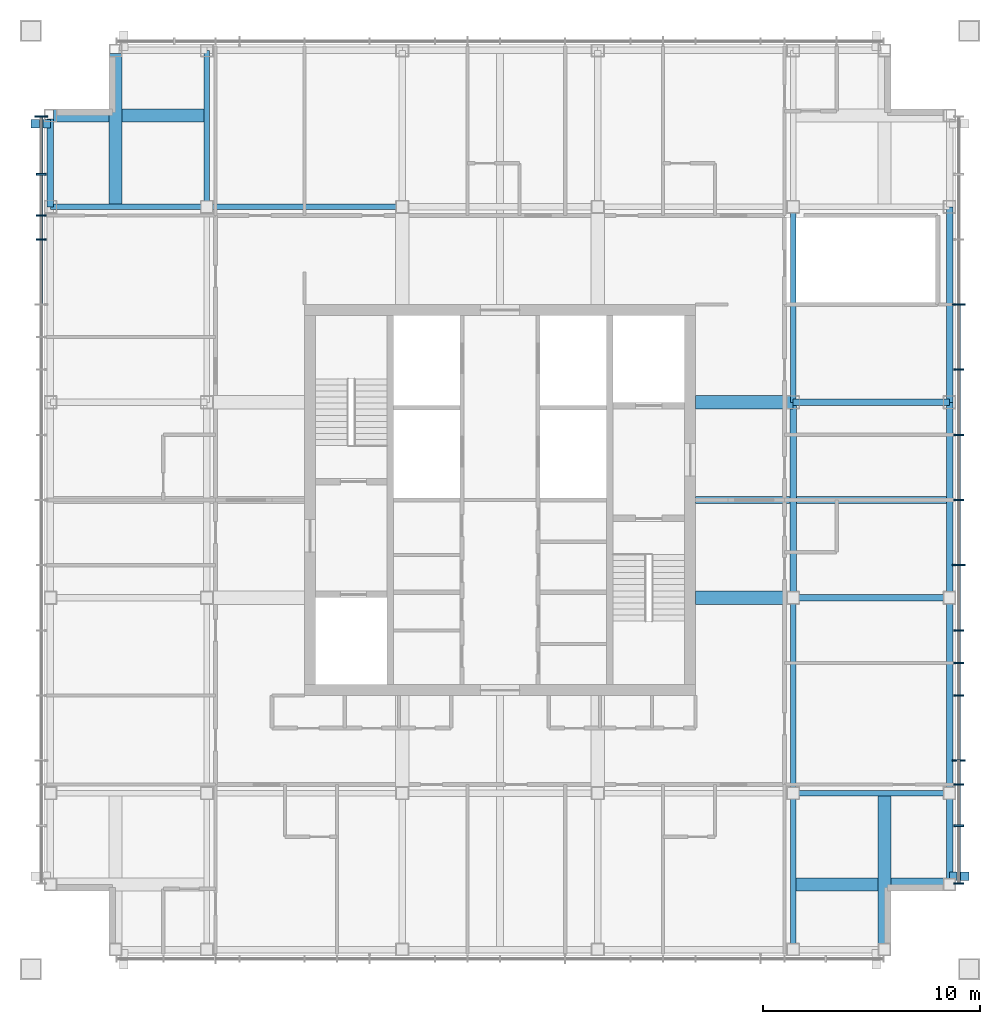
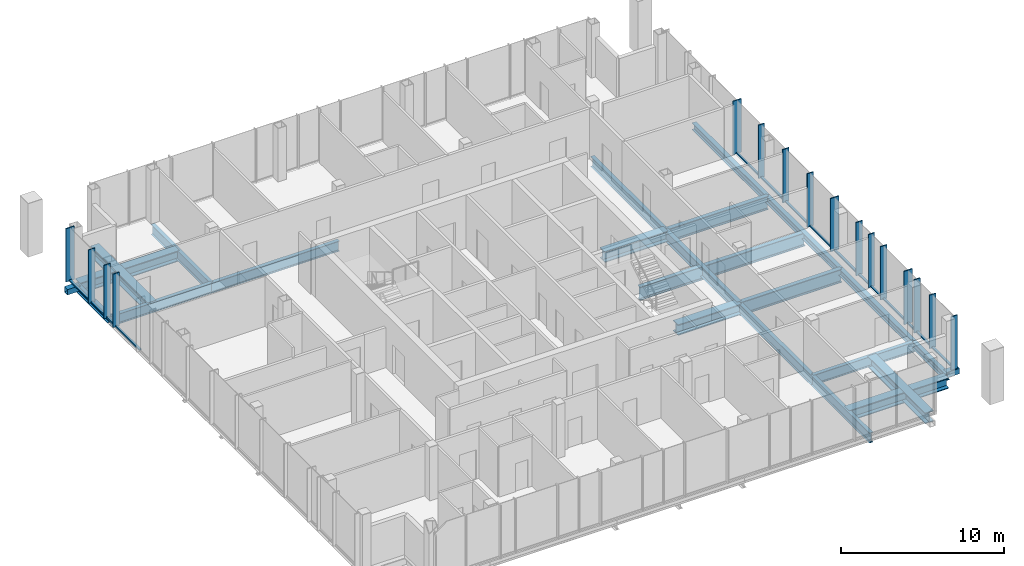
# One storey, part 4 of 12: 33 members, 22 beams, 2 elements without a shape of their own.
"""IFC4 building model written with IfcOpenShell, lengths in metres."""

from ifc_helpers import new_model, si_unit, direction, frame, origin, origin_2d, place, context, subcontext, project, spatial, rectangle, hollow_rectangle, i_section, extrude, material, layer, layer_set, material_profile, profile_set, type_object, element, aggregate, save


model = new_model("IFC4")

# Units and contexts
model_context = context("Model", 3, precision=1e-05, world=origin(), true_north=direction((0.0, 1.0)))
body_context = subcontext(model_context, "Body", "Model", "MODEL_VIEW")
ifc_project = project(units=[si_unit("LENGTHUNIT", "METRE"), si_unit("AREAUNIT", "SQUARE_METRE"), si_unit("VOLUMEUNIT", "CUBIC_METRE"), si_unit("PLANEANGLEUNIT", "RADIAN"), si_unit("MASSUNIT", "GRAM", prefix="KILO")], contexts=[model_context])

# Site, building, storey
site_placement = place(None, origin())
site = spatial("IfcSite", under=ifc_project, at=site_placement, CompositionType="ELEMENT")
building_placement = place(site_placement, origin())
building = spatial("IfcBuilding", under=site, at=building_placement, Name="Malebo Sky Hospital", CompositionType="ELEMENT")
storey_placement = place(building_placement, frame((0.0, 0.0, 286.0)))
storey = spatial("IfcBuildingStorey", under=building, at=storey_placement, Name="L69", CompositionType="ELEMENT", Elevation=286.0)

# Curtain wall, members
ifc_material_1 = material(Name="Anodised aluminium, natural silver", Category="aluminium")
ifc_layer = layer(ifc_material_1, 0.25)
ifc_layer_set = layer_set([ifc_layer], Name="WARD CURTAIN WALL EAST AND WEST")
curtain_wall_type = type_object("IfcCurtainWallType", Name="WARD CURTAIN WALL EAST AND WEST", PredefinedType="NOTDEFINED", material=ifc_layer_set)
curtain_wall_1_placement = place(storey_placement, origin())
curtain_wall_1 = element("IfcCurtainWall", 1, at=curtain_wall_1_placement, inside=storey, type_object=curtain_wall_type, Name="EW curtain wall W", PredefinedType="NOTDEFINED")
ifc_material_profile_1 = material_profile(ifc_material_1, rectangle(XDim=0.14990234375, YDim=0.10009765625, at=origin_2d()), Name="ALUMINIUM TRANSOM 150x100")
ifc_profile_set_1 = profile_set([ifc_material_profile_1], Name="Anodised aluminium, natural silver")
member_type_1 = type_object("IfcMemberType", Name="ALUMINIUM TRANSOM 150x100", PredefinedType="USERDEFINED", material=ifc_profile_set_1)
member_1_placement = place(storey_placement, frame((38.875, 71.03759765625, 0.050048828125), z_axis=(0.0, 1.0, 0.0), x_axis=(-1.0, 0.0, 0.0)))
member_1 = element("IfcMember", 2, at=member_1_placement, type_object=member_type_1, Name="Transom 12", ObjectType="TRANSOM", PredefinedType="USERDEFINED", context=body_context, shape_type="SweptSolid", body=[
    extrude(rectangle(XDim=0.14990234375, YDim=0.10009765625, at=origin_2d()), origin(), (0.0, 0.0, 1.0), 2.9248046875),
])
member_2_placement = place(storey_placement, frame((38.875, 74.03759765625, 0.050048828125), z_axis=(0.0, 1.0, 0.0), x_axis=(-1.0, 0.0, 0.0)))
member_2 = element("IfcMember", 3, at=member_2_placement, type_object=member_type_1, Name="Transom 13", ObjectType="TRANSOM", PredefinedType="USERDEFINED", context=body_context, shape_type="SweptSolid", body=[
    extrude(rectangle(XDim=0.14990234375, YDim=0.10009765625, at=origin_2d()), origin(), (0.0, 0.0, 1.0), 1.02490234375),
])
member_3_placement = place(storey_placement, frame((38.875, 75.137451171875, 0.050048828125), z_axis=(0.0, 1.0, 0.0), x_axis=(-1.0, 0.0, 0.0)))
member_3 = element("IfcMember", 4, at=member_3_placement, type_object=member_type_1, Name="Transom 14", ObjectType="TRANSOM", PredefinedType="USERDEFINED", context=body_context, shape_type="SweptSolid", body=[
    extrude(rectangle(XDim=0.14990234375, YDim=0.10009765625, at=origin_2d()), origin(), (0.0, 0.0, 1.0), 1.824951171875),
])
member_4_placement = place(storey_placement, frame((38.875, 77.03759765625, 0.050048828125), z_axis=(0.0, 1.0, 0.0), x_axis=(-1.0, 0.0, 0.0)))
member_4 = element("IfcMember", 5, at=member_4_placement, type_object=member_type_1, Name="Transom 15", ObjectType="TRANSOM", PredefinedType="USERDEFINED", context=body_context, shape_type="SweptSolid", body=[
    extrude(rectangle(XDim=0.14990234375, YDim=0.10009765625, at=origin_2d()), origin(), (0.0, 0.0, 1.0), 2.58740234375),
])

curtain_wall_2_placement = place(storey_placement, origin())
curtain_wall_2 = element("IfcCurtainWall", 6, at=curtain_wall_2_placement, inside=storey, type_object=curtain_wall_type, Name="EW curtain wall E", PredefinedType="NOTDEFINED")
member_5_placement = place(storey_placement, frame((81.125, 70.96240234375, 0.050048828125), z_axis=(0.0, -1.0, 0.0), x_axis=(1.0, 0.0, 0.0)))
member_5 = element("IfcMember", 7, at=member_5_placement, type_object=member_type_1, Name="Transom 4", ObjectType="TRANSOM", PredefinedType="USERDEFINED", context=body_context, shape_type="SweptSolid", body=[
    extrude(rectangle(XDim=0.14990234375, YDim=0.10009765625, at=origin_2d()), origin(), (0.0, 0.0, 1.0), 2.9248046875),
])
member_6_placement = place(storey_placement, frame((81.125, 67.96240234375, 0.050048828125), z_axis=(0.0, -1.0, 0.0), x_axis=(1.0, 0.0, 0.0)))
member_6 = element("IfcMember", 8, at=member_6_placement, type_object=member_type_1, Name="Transom 5", ObjectType="TRANSOM", PredefinedType="USERDEFINED", context=body_context, shape_type="SweptSolid", body=[
    extrude(rectangle(XDim=0.14990234375, YDim=0.10009765625, at=origin_2d()), origin(), (0.0, 0.0, 1.0), 2.9248046875),
])
member_7_placement = place(storey_placement, frame((81.125, 64.96240234375, 0.050048828125), z_axis=(0.0, -1.0, 0.0), x_axis=(1.0, 0.0, 0.0)))
member_7 = element("IfcMember", 9, at=member_7_placement, type_object=member_type_1, Name="Transom 6", ObjectType="TRANSOM", PredefinedType="USERDEFINED", context=body_context, shape_type="SweptSolid", body=[
    extrude(rectangle(XDim=0.14990234375, YDim=0.10009765625, at=origin_2d()), origin(), (0.0, 0.0, 1.0), 2.9248046875),
])
member_8_placement = place(storey_placement, frame((81.125, 61.96240234375, 0.050048828125), z_axis=(0.0, -1.0, 0.0), x_axis=(1.0, 0.0, 0.0)))
member_8 = element("IfcMember", 10, at=member_8_placement, type_object=member_type_1, Name="Transom 7", ObjectType="TRANSOM", PredefinedType="USERDEFINED", context=body_context, shape_type="SweptSolid", body=[
    extrude(rectangle(XDim=0.14990234375, YDim=0.10009765625, at=origin_2d()), origin(), (0.0, 0.0, 1.0), 2.9248046875),
])
member_9_placement = place(storey_placement, frame((81.125, 58.96240234375, 0.050048828125), z_axis=(0.0, -1.0, 0.0), x_axis=(1.0, 0.0, 0.0)))
member_9 = element("IfcMember", 11, at=member_9_placement, type_object=member_type_1, Name="Transom 8", ObjectType="TRANSOM", PredefinedType="USERDEFINED", context=body_context, shape_type="SweptSolid", body=[
    extrude(rectangle(XDim=0.14990234375, YDim=0.10009765625, at=origin_2d()), origin(), (0.0, 0.0, 1.0), 2.9248046875),
])
member_10_placement = place(storey_placement, frame((81.125, 55.96240234375, 0.050048828125), z_axis=(0.0, -1.0, 0.0), x_axis=(1.0, 0.0, 0.0)))
member_10 = element("IfcMember", 12, at=member_10_placement, type_object=member_type_1, Name="Transom 9", ObjectType="TRANSOM", PredefinedType="USERDEFINED", context=body_context, shape_type="SweptSolid", body=[
    extrude(rectangle(XDim=0.14990234375, YDim=0.10009765625, at=origin_2d()), origin(), (0.0, 0.0, 1.0), 1.4248046875),
])
member_11_placement = place(storey_placement, frame((81.125, 54.46240234375, 0.050048828125), z_axis=(0.0, -1.0, 0.0), x_axis=(1.0, 0.0, 0.0)))
member_11 = element("IfcMember", 13, at=member_11_placement, type_object=member_type_1, Name="Transom 10", ObjectType="TRANSOM", PredefinedType="USERDEFINED", context=body_context, shape_type="SweptSolid", body=[
    extrude(rectangle(XDim=0.14990234375, YDim=0.10009765625, at=origin_2d()), origin(), (0.0, 0.0, 1.0), 1.4248046875),
])
member_12_placement = place(storey_placement, frame((81.125, 52.96240234375, 0.050048828125), z_axis=(0.0, -1.0, 0.0), x_axis=(1.0, 0.0, 0.0)))
member_12 = element("IfcMember", 14, at=member_12_placement, type_object=member_type_1, Name="Transom 11", ObjectType="TRANSOM", PredefinedType="USERDEFINED", context=body_context, shape_type="SweptSolid", body=[
    extrude(rectangle(XDim=0.14990234375, YDim=0.10009765625, at=origin_2d()), origin(), (0.0, 0.0, 1.0), 2.9248046875),
])
member_13_placement = place(storey_placement, frame((81.125, 49.96240234375, 0.050048828125), z_axis=(0.0, -1.0, 0.0), x_axis=(1.0, 0.0, 0.0)))
member_13 = element("IfcMember", 15, at=member_13_placement, type_object=member_type_1, Name="Transom 12", ObjectType="TRANSOM", PredefinedType="USERDEFINED", context=body_context, shape_type="SweptSolid", body=[
    extrude(rectangle(XDim=0.14990234375, YDim=0.10009765625, at=origin_2d()), origin(), (0.0, 0.0, 1.0), 1.02490234375),
])
member_14_placement = place(storey_placement, frame((81.125, 48.862548828125, 0.050048828125), z_axis=(0.0, -1.0, 0.0), x_axis=(1.0, 0.0, 0.0)))
member_14 = element("IfcMember", 16, at=member_14_placement, type_object=member_type_1, Name="Transom 13", ObjectType="TRANSOM", PredefinedType="USERDEFINED", context=body_context, shape_type="SweptSolid", body=[
    extrude(rectangle(XDim=0.14990234375, YDim=0.10009765625, at=origin_2d()), origin(), (0.0, 0.0, 1.0), 1.824951171875),
])
member_15_placement = place(storey_placement, frame((81.125, 46.96240234375, 0.050048828125), z_axis=(0.0, -1.0, 0.0), x_axis=(1.0, 0.0, 0.0)))
member_15 = element("IfcMember", 17, at=member_15_placement, type_object=member_type_1, Name="Transom 14", ObjectType="TRANSOM", PredefinedType="USERDEFINED", context=body_context, shape_type="SweptSolid", body=[
    extrude(rectangle(XDim=0.14990234375, YDim=0.10009765625, at=origin_2d()), origin(), (0.0, 0.0, 1.0), 2.58740234375),
])

# Members
ifc_material_2 = material(Name="Steel S355", Category="steel")
ifc_material_profile_2 = material_profile(ifc_material_2, hollow_rectangle(XDim=0.39990234375, YDim=0.39990234375, WallThickness=0.02001953125, at=origin_2d()), Name="SHS 400x20")
ifc_profile_set_2 = profile_set([ifc_material_profile_2], Name="Steel S355")
member_type_2 = type_object("IfcMemberType", Name="BRACE STRUT SHS 400x20", PredefinedType="STRUT", material=ifc_profile_set_2)
for number, where, z_axis, x_axis, name in (
    (18, (81.60009765625, 44.671875, -0.39990234375), (-1.0, 0.0, 0.0), (0.0, -1.0, 0.0), "Brace strut DE2 L69"),
    (19, (38.39990234375, 79.328125, -0.39990234375), (1.0, 0.0, 0.0), (0.0, 1.0, 0.0), "Brace strut DW2 L69"),
):
    element("IfcMember", number, at=place(storey_placement, frame(where, z_axis=z_axis, x_axis=x_axis)), inside=storey, type_object=member_type_2, Name=name, PredefinedType="STRUT", context=body_context, shape_type="SweptSolid", body=[
        extrude(hollow_rectangle(XDim=0.39990234375, YDim=0.39990234375, WallThickness=0.02001953125, at=origin_2d()), origin(), (0.0, 0.0, 1.0), 0.900146484375),
    ])

# Member
ifc_material_profile_3 = material_profile(ifc_material_1, rectangle(XDim=0.074951171875, YDim=0.449951171875, at=origin_2d()), Name="CW2 ALUMINIUM FIN MULLION 75x450")
ifc_profile_set_3 = profile_set([ifc_material_profile_3], Name="Anodised aluminium, natural silver")
member_type_3 = type_object("IfcMemberType", Name="CW2 ALUMINIUM FIN MULLION 75x450", PredefinedType="MULLION", material=ifc_profile_set_3)
member_16_placement = place(storey_placement, frame((38.875, 74.0, 0.0), z_axis=(0.0, 0.0, 1.0), x_axis=(0.0, 1.0, 0.0)))
member_16 = element("IfcMember", 20, at=member_16_placement, type_object=member_type_3, Name="Fin mullion 13", PredefinedType="MULLION", context=body_context, shape_type="SweptSolid", body=[
    extrude(rectangle(XDim=0.074951171875, YDim=0.449951171875, at=origin_2d()), origin(), (0.0, 0.0, 1.0), 4.0),
])

member_17_placement = place(storey_placement, frame((38.875, 75.10009765625, 0.0), z_axis=(0.0, 0.0, 1.0), x_axis=(0.0, 1.0, 0.0)))
member_17 = element("IfcMember", 21, at=member_17_placement, type_object=member_type_3, Name="Fin mullion 14", PredefinedType="MULLION", context=body_context, shape_type="SweptSolid", body=[
    extrude(rectangle(XDim=0.074951171875, YDim=0.449951171875, at=origin_2d()), origin(), (0.0, 0.0, 1.0), 4.0),
])

member_18_placement = place(storey_placement, frame((38.875, 77.0, 0.0), z_axis=(0.0, 0.0, 1.0), x_axis=(0.0, 1.0, 0.0)))
member_18 = element("IfcMember", 22, at=member_18_placement, type_object=member_type_3, Name="Fin mullion 15", PredefinedType="MULLION", context=body_context, shape_type="SweptSolid", body=[
    extrude(rectangle(XDim=0.074951171875, YDim=0.449951171875, at=origin_2d()), origin(), (0.0, 0.0, 1.0), 4.0),
])

member_19_placement = place(storey_placement, frame((81.125, 68.0, 0.0), z_axis=(0.0, 0.0, 1.0), x_axis=(0.0, -1.0, 0.0)))
member_19 = element("IfcMember", 23, at=member_19_placement, type_object=member_type_3, Name="Fin mullion 5", PredefinedType="MULLION", context=body_context, shape_type="SweptSolid", body=[
    extrude(rectangle(XDim=0.074951171875, YDim=0.449951171875, at=origin_2d()), origin(), (0.0, 0.0, 1.0), 4.0),
])

member_20_placement = place(storey_placement, frame((81.125, 65.0, 0.0), z_axis=(0.0, 0.0, 1.0), x_axis=(0.0, -1.0, 0.0)))
member_20 = element("IfcMember", 24, at=member_20_placement, type_object=member_type_3, Name="Fin mullion 6", PredefinedType="MULLION", context=body_context, shape_type="SweptSolid", body=[
    extrude(rectangle(XDim=0.074951171875, YDim=0.449951171875, at=origin_2d()), origin(), (0.0, 0.0, 1.0), 4.0),
])

member_21_placement = place(storey_placement, frame((81.125, 62.0, 0.0), z_axis=(0.0, 0.0, 1.0), x_axis=(0.0, -1.0, 0.0)))
member_21 = element("IfcMember", 25, at=member_21_placement, type_object=member_type_3, Name="Fin mullion 7", PredefinedType="MULLION", context=body_context, shape_type="SweptSolid", body=[
    extrude(rectangle(XDim=0.074951171875, YDim=0.449951171875, at=origin_2d()), origin(), (0.0, 0.0, 1.0), 4.0),
])

member_22_placement = place(storey_placement, frame((81.125, 56.0, 0.0), z_axis=(0.0, 0.0, 1.0), x_axis=(0.0, -1.0, 0.0)))
member_22 = element("IfcMember", 26, at=member_22_placement, type_object=member_type_3, Name="Fin mullion 9", PredefinedType="MULLION", context=body_context, shape_type="SweptSolid", body=[
    extrude(rectangle(XDim=0.074951171875, YDim=0.449951171875, at=origin_2d()), origin(), (0.0, 0.0, 1.0), 4.0),
])

member_23_placement = place(storey_placement, frame((81.125, 54.5, 0.0), z_axis=(0.0, 0.0, 1.0), x_axis=(0.0, -1.0, 0.0)))
member_23 = element("IfcMember", 27, at=member_23_placement, type_object=member_type_3, Name="Fin mullion 10", PredefinedType="MULLION", context=body_context, shape_type="SweptSolid", body=[
    extrude(rectangle(XDim=0.074951171875, YDim=0.449951171875, at=origin_2d()), origin(), (0.0, 0.0, 1.0), 4.0),
])

member_24_placement = place(storey_placement, frame((81.125, 53.0, 0.0), z_axis=(0.0, 0.0, 1.0), x_axis=(0.0, -1.0, 0.0)))
member_24 = element("IfcMember", 28, at=member_24_placement, type_object=member_type_3, Name="Fin mullion 11", PredefinedType="MULLION", context=body_context, shape_type="SweptSolid", body=[
    extrude(rectangle(XDim=0.074951171875, YDim=0.449951171875, at=origin_2d()), origin(), (0.0, 0.0, 1.0), 4.0),
])

member_25_placement = place(storey_placement, frame((81.125, 48.89990234375, 0.0), z_axis=(0.0, 0.0, 1.0), x_axis=(0.0, -1.0, 0.0)))
member_25 = element("IfcMember", 29, at=member_25_placement, type_object=member_type_3, Name="Fin mullion 13", PredefinedType="MULLION", context=body_context, shape_type="SweptSolid", body=[
    extrude(rectangle(XDim=0.074951171875, YDim=0.449951171875, at=origin_2d()), origin(), (0.0, 0.0, 1.0), 4.0),
])

member_26_placement = place(storey_placement, frame((81.125, 47.0, 0.0), z_axis=(0.0, 0.0, 1.0), x_axis=(0.0, -1.0, 0.0)))
member_26 = element("IfcMember", 30, at=member_26_placement, type_object=member_type_3, Name="Fin mullion 14", PredefinedType="MULLION", context=body_context, shape_type="SweptSolid", body=[
    extrude(rectangle(XDim=0.074951171875, YDim=0.449951171875, at=origin_2d()), origin(), (0.0, 0.0, 1.0), 4.0),
])

member_27_placement = place(storey_placement, frame((81.125, 44.33740234375, 0.0), z_axis=(0.0, 0.0, 1.0), x_axis=(0.0, -1.0, 0.0)))
member_27 = element("IfcMember", 31, at=member_27_placement, type_object=member_type_3, Name="Fin mullion 15", PredefinedType="MULLION", context=body_context, shape_type="SweptSolid", body=[
    extrude(rectangle(XDim=0.074951171875, YDim=0.449951171875, at=origin_2d()), origin(), (0.0, 0.0, 1.0), 4.0),
])

ifc_material_profile_4 = material_profile(ifc_material_1, rectangle(XDim=0.074951171875, YDim=0.60009765625, at=origin_2d()), Name="CW2 ALUMINIUM FIN MULLION 75x600")
ifc_profile_set_4 = profile_set([ifc_material_profile_4], Name="Anodised aluminium, natural silver")
member_type_4 = type_object("IfcMemberType", Name="CW2 ALUMINIUM FIN MULLION 75x600", PredefinedType="MULLION", material=ifc_profile_set_4)
member_28_placement = place(storey_placement, frame((38.875, 79.66259765625, 0.0), z_axis=(0.0, 0.0, 1.0), x_axis=(0.0, 1.0, 0.0)))
member_28 = element("IfcMember", 32, at=member_28_placement, type_object=member_type_4, Name="Fin mullion 16", PredefinedType="MULLION", context=body_context, shape_type="SweptSolid", body=[
    extrude(rectangle(XDim=0.074951171875, YDim=0.60009765625, at=origin_2d()), origin(), (0.0, 0.0, 1.0), 4.0),
])

aggregate(curtain_wall_1, [member_16, member_17, member_18, member_28, member_1, member_2, member_3, member_4])

member_29_placement = place(storey_placement, frame((81.125, 71.0, 0.0), z_axis=(0.0, 0.0, 1.0), x_axis=(0.0, -1.0, 0.0)))
member_29 = element("IfcMember", 33, at=member_29_placement, type_object=member_type_4, Name="Fin mullion 4", PredefinedType="MULLION", context=body_context, shape_type="SweptSolid", body=[
    extrude(rectangle(XDim=0.074951171875, YDim=0.60009765625, at=origin_2d()), origin(), (0.0, 0.0, 1.0), 4.0),
])

member_30_placement = place(storey_placement, frame((81.125, 59.0, 0.0), z_axis=(0.0, 0.0, 1.0), x_axis=(0.0, -1.0, 0.0)))
member_30 = element("IfcMember", 34, at=member_30_placement, type_object=member_type_4, Name="Fin mullion 8", PredefinedType="MULLION", context=body_context, shape_type="SweptSolid", body=[
    extrude(rectangle(XDim=0.074951171875, YDim=0.60009765625, at=origin_2d()), origin(), (0.0, 0.0, 1.0), 4.0),
])

member_31_placement = place(storey_placement, frame((81.125, 50.0, 0.0), z_axis=(0.0, 0.0, 1.0), x_axis=(0.0, -1.0, 0.0)))
member_31 = element("IfcMember", 35, at=member_31_placement, type_object=member_type_4, Name="Fin mullion 12", PredefinedType="MULLION", context=body_context, shape_type="SweptSolid", body=[
    extrude(rectangle(XDim=0.074951171875, YDim=0.60009765625, at=origin_2d()), origin(), (0.0, 0.0, 1.0), 4.0),
])

aggregate(curtain_wall_2, [member_29, member_19, member_20, member_21, member_30, member_22, member_23, member_24, member_31, member_25, member_26, member_27, member_5, member_6, member_7, member_8, member_9, member_10, member_11, member_12, member_13, member_14, member_15])

# Beams
ifc_material_profile_5 = material_profile(ifc_material_2, i_section(OverallWidth=0.305908203125, OverallDepth=0.52392578125, WebThickness=0.02099609375, FlangeThickness=0.0400390625, FilletRadius=0.027099609375, at=origin_2d()), Name="HEM 500")
ifc_profile_set_5 = profile_set([ifc_material_profile_5], Name="Steel S355")
beam_type_1 = type_object("IfcBeamType", Name="EDGE BEAM HEM 500", PredefinedType="BEAM", material=ifc_profile_set_5)
for number, where, z_axis, x_axis, name in (
    (36, (39.300048828125, 75.5, -0.511962890625), (0.0, 1.0, 0.0), (-1.0, 0.0, 0.0), "Beam 004 L69"),
    (37, (80.699951171875, 44.449951171875, -0.511962890625), (0.0, 1.0, 0.0), (-1.0, 0.0, 0.0), "Beam 029 L69"),
):
    element("IfcBeam", number, at=place(storey_placement, frame(where, z_axis=z_axis, x_axis=x_axis)), inside=storey, type_object=beam_type_1, Name=name, PredefinedType="BEAM", context=body_context, shape_type="SweptSolid", body=[
        extrude(i_section(OverallWidth=0.305908203125, OverallDepth=0.52392578125, WebThickness=0.02099609375, FlangeThickness=0.0400390625, FilletRadius=0.027099609375, at=origin_2d()), origin(), (0.0, 0.0, 1.0), 4.050048828125),
    ])
for number, where, z_axis, x_axis, name in (
    (38, (80.699951171875, 48.5, -0.511962890625), (0.0, 1.0, 0.0), (-1.0, 0.0, 0.0), "Beam 030 L69"),
    (39, (80.699951171875, 57.5, -0.511962890625), (0.0, 1.0, 0.0), (-1.0, 0.0, 0.0), "Beam 031 L69"),
    (40, (80.699951171875, 66.5, -0.511962890625), (0.0, 1.0, 0.0), (-1.0, 0.0, 0.0), "Beam 032 L69"),
):
    element("IfcBeam", number, at=place(storey_placement, frame(where, z_axis=z_axis, x_axis=x_axis)), inside=storey, type_object=beam_type_1, Name=name, PredefinedType="BEAM", context=body_context, shape_type="SweptSolid", body=[
        extrude(i_section(OverallWidth=0.305908203125, OverallDepth=0.52392578125, WebThickness=0.02099609375, FlangeThickness=0.0400390625, FilletRadius=0.027099609375, at=origin_2d()), origin(), (0.0, 0.0, 1.0), 9.0),
    ])
ifc_material_profile_6 = material_profile(ifc_material_2, i_section(OverallWidth=0.300048828125, OverallDepth=1.0, WebThickness=0.01904296875, FlangeThickness=0.035888671875, FilletRadius=0.030029296875, at=origin_2d()), Name="HEB 1000")
ifc_profile_set_6 = profile_set([ifc_material_profile_6], Name="Steel S355")
beam_type_2 = type_object("IfcBeamType", Name="FLOOR BEAM HEB 1000", PredefinedType="BEAM", material=ifc_profile_set_6)
beam_1_placement = place(storey_placement, frame((73.5, 57.5, -0.75), z_axis=(1.0, 0.0, 0.0), x_axis=(0.0, 1.0, 0.0)))
element("IfcBeam", 41, at=beam_1_placement, inside=storey, type_object=beam_type_2, Name="Beam 049 L69", PredefinedType="BEAM", context=body_context, shape_type="SweptSolid", body=[
    extrude(i_section(OverallWidth=0.300048828125, OverallDepth=1.0, WebThickness=0.01904296875, FlangeThickness=0.035888671875, FilletRadius=0.030029296875, at=origin_2d()), origin(), (0.0, 0.0, 1.0), 7.199951171875),
])
beam_2_placement = place(storey_placement, frame((69.0, 62.0, -0.75), z_axis=(1.0, 0.0, 0.0), x_axis=(0.0, 1.0, 0.0)))
element("IfcBeam", 42, at=beam_2_placement, inside=storey, type_object=beam_type_2, Name="Beam 051 L69", PredefinedType="BEAM", context=body_context, shape_type="SweptSolid", body=[
    extrude(i_section(OverallWidth=0.300048828125, OverallDepth=1.0, WebThickness=0.01904296875, FlangeThickness=0.035888671875, FilletRadius=0.030029296875, at=origin_2d()), origin(), (0.0, 0.0, 1.0), 11.699951171875),
])
beam_3_placement = place(storey_placement, frame((73.5, 66.5, -0.75), z_axis=(1.0, 0.0, 0.0), x_axis=(0.0, 1.0, 0.0)))
element("IfcBeam", 43, at=beam_3_placement, inside=storey, type_object=beam_type_2, Name="Beam 055 L69", PredefinedType="BEAM", context=body_context, shape_type="SweptSolid", body=[
    extrude(i_section(OverallWidth=0.300048828125, OverallDepth=1.0, WebThickness=0.01904296875, FlangeThickness=0.035888671875, FilletRadius=0.030029296875, at=origin_2d()), origin(), (0.0, 0.0, 1.0), 7.199951171875),
])
ifc_material_profile_7 = material_profile(ifc_material_2, i_section(OverallWidth=0.26708984375, OverallDepth=0.761962890625, WebThickness=0.014404296875, FlangeThickness=0.021484375, FilletRadius=0.01708984375, at=origin_2d()), Name="IPE 750x173")
ifc_profile_set_7 = profile_set([ifc_material_profile_7], Name="Steel S355")
beam_type_3 = type_object("IfcBeamType", Name="FLOOR BEAM IPE 750x173", PredefinedType="BEAM", material=ifc_profile_set_7)
for number, where, z_axis, x_axis, name in (
    (44, (73.5, 48.5, -0.631103515625), (0.0, 1.0, 0.0), (-1.0, 0.0, 0.0), "Beam 023 L69"),
    (45, (73.5, 66.5, -0.631103515625), (0.0, 1.0, 0.0), (-1.0, 0.0, 0.0), "Beam 025 L69"),
    (46, (46.5, 75.5, -0.631103515625), (1.0, 0.0, 0.0), (0.0, 1.0, 0.0), "Beam 057 L69"),
):
    element("IfcBeam", number, at=place(storey_placement, frame(where, z_axis=z_axis, x_axis=x_axis)), inside=storey, type_object=beam_type_3, Name=name, PredefinedType="BEAM", context=body_context, shape_type="SweptSolid", body=[
        extrude(i_section(OverallWidth=0.26708984375, OverallDepth=0.761962890625, WebThickness=0.014404296875, FlangeThickness=0.021484375, FilletRadius=0.01708984375, at=origin_2d()), origin(), (0.0, 0.0, 1.0), 9.0),
    ])
ifc_material_profile_8 = material_profile(ifc_material_2, i_section(OverallWidth=0.60009765625, OverallDepth=0.800048828125, WebThickness=0.0400390625, FlangeThickness=0.06005859375, at=origin_2d()), Name="PG 800x600x40x60")
ifc_profile_set_8 = profile_set([ifc_material_profile_8], Name="Steel S355")
beam_type_4 = type_object("IfcBeamType", Name="FLOOR BEAM PG 800x600x40x60", PredefinedType="BEAM", material=ifc_profile_set_8)
for number, where, z_axis, x_axis, name in (
    (47, (42.300048828125, 75.5, -0.64990234375), (0.0, 1.0, 0.0), (-1.0, 0.0, 0.0), "Beam 006 L69"),
    (48, (77.699951171875, 41.449951171875, -0.64990234375), (0.0, 1.0, 0.0), (-1.0, 0.0, 0.0), "Beam 027 L69"),
    (49, (73.5, 44.300048828125, -0.64990234375), (1.0, 0.0, 0.0), (0.0, 1.0, 0.0), "Beam 040 L69"),
):
    element("IfcBeam", number, at=place(storey_placement, frame(where, z_axis=z_axis, x_axis=x_axis)), inside=storey, type_object=beam_type_4, Name=name, PredefinedType="BEAM", context=body_context, shape_type="SweptSolid", body=[
        extrude(i_section(OverallWidth=0.60009765625, OverallDepth=0.800048828125, WebThickness=0.0400390625, FlangeThickness=0.06005859375, at=origin_2d()), origin(), (0.0, 0.0, 1.0), 7.050048828125),
    ])
for number, where, z_axis, x_axis, name in (
    (50, (69.0, 57.5, -0.64990234375), (1.0, 0.0, 0.0), (0.0, 1.0, 0.0), "Beam 048 L69"),
    (51, (69.0, 66.5, -0.64990234375), (1.0, 0.0, 0.0), (0.0, 1.0, 0.0), "Beam 054 L69"),
):
    element("IfcBeam", number, at=place(storey_placement, frame(where, z_axis=z_axis, x_axis=x_axis)), inside=storey, type_object=beam_type_4, Name=name, PredefinedType="BEAM", context=body_context, shape_type="SweptSolid", body=[
        extrude(i_section(OverallWidth=0.60009765625, OverallDepth=0.800048828125, WebThickness=0.0400390625, FlangeThickness=0.06005859375, at=origin_2d()), origin(), (0.0, 0.0, 1.0), 4.5),
    ])
beam_4_placement = place(storey_placement, frame((39.449951171875, 79.699951171875, -0.64990234375), z_axis=(1.0, 0.0, 0.0), x_axis=(0.0, 1.0, 0.0)))
element("IfcBeam", 52, at=beam_4_placement, inside=storey, type_object=beam_type_4, Name="Beam 061 L69", PredefinedType="BEAM", context=body_context, shape_type="SweptSolid", body=[
    extrude(i_section(OverallWidth=0.60009765625, OverallDepth=0.800048828125, WebThickness=0.0400390625, FlangeThickness=0.06005859375, at=origin_2d()), origin(), (0.0, 0.0, 1.0), 7.050048828125),
])
ifc_material_profile_9 = material_profile(ifc_material_2, i_section(OverallWidth=0.262939453125, OverallDepth=0.7529296875, WebThickness=0.011474609375, FlangeThickness=0.01708984375, FilletRadius=0.01708984375, at=origin_2d()), Name="IPE 750x137")
ifc_profile_set_9 = profile_set([ifc_material_profile_9], Name="Steel S355")
beam_type_5 = type_object("IfcBeamType", Name="FLOOR GIRDER IPE 750x137", PredefinedType="BEAM", material=ifc_profile_set_9)
for number, where, z_axis, x_axis, name in (
    (53, (46.5, 75.5, -0.62646484375), (0.0, 1.0, 0.0), (-1.0, 0.0, 0.0), "Beam 011 L69"),
    (54, (73.5, 41.300048828125, -0.62646484375), (0.0, 1.0, 0.0), (-1.0, 0.0, 0.0), "Beam 022 L69"),
    (55, (73.5, 48.5, -0.62646484375), (1.0, 0.0, 0.0), (0.0, 1.0, 0.0), "Beam 045 L69"),
    (56, (39.300048828125, 75.5, -0.62646484375), (1.0, 0.0, 0.0), (0.0, 1.0, 0.0), "Beam 056 L69"),
):
    element("IfcBeam", number, at=place(storey_placement, frame(where, z_axis=z_axis, x_axis=x_axis)), inside=storey, type_object=beam_type_5, Name=name, PredefinedType="BEAM", context=body_context, shape_type="SweptSolid", body=[
        extrude(i_section(OverallWidth=0.262939453125, OverallDepth=0.7529296875, WebThickness=0.011474609375, FlangeThickness=0.01708984375, FilletRadius=0.01708984375, at=origin_2d()), origin(), (0.0, 0.0, 1.0), 7.199951171875),
    ])
ifc_material_profile_10 = material_profile(ifc_material_2, i_section(OverallWidth=0.300048828125, OverallDepth=0.800048828125, WebThickness=0.017578125, FlangeThickness=0.032958984375, FilletRadius=0.030029296875, at=origin_2d()), Name="HEB 800")
ifc_profile_set_10 = profile_set([ifc_material_profile_10], Name="Steel S355")
beam_type_6 = type_object("IfcBeamType", Name="RING GIRDER HEB 800", PredefinedType="BEAM", material=ifc_profile_set_10)
beam_5_placement = place(storey_placement, frame((73.5, 57.5, -0.64990234375), z_axis=(0.0, 1.0, 0.0), x_axis=(-1.0, 0.0, 0.0)))
element("IfcBeam", 57, at=beam_5_placement, inside=storey, type_object=beam_type_6, Name="Beam 024 L69", PredefinedType="BEAM", context=body_context, shape_type="SweptSolid", body=[
    extrude(i_section(OverallWidth=0.300048828125, OverallDepth=0.800048828125, WebThickness=0.017578125, FlangeThickness=0.032958984375, FilletRadius=0.030029296875, at=origin_2d()), origin(), (0.0, 0.0, 1.0), 9.0),
])

save(model, "model.ifc")
